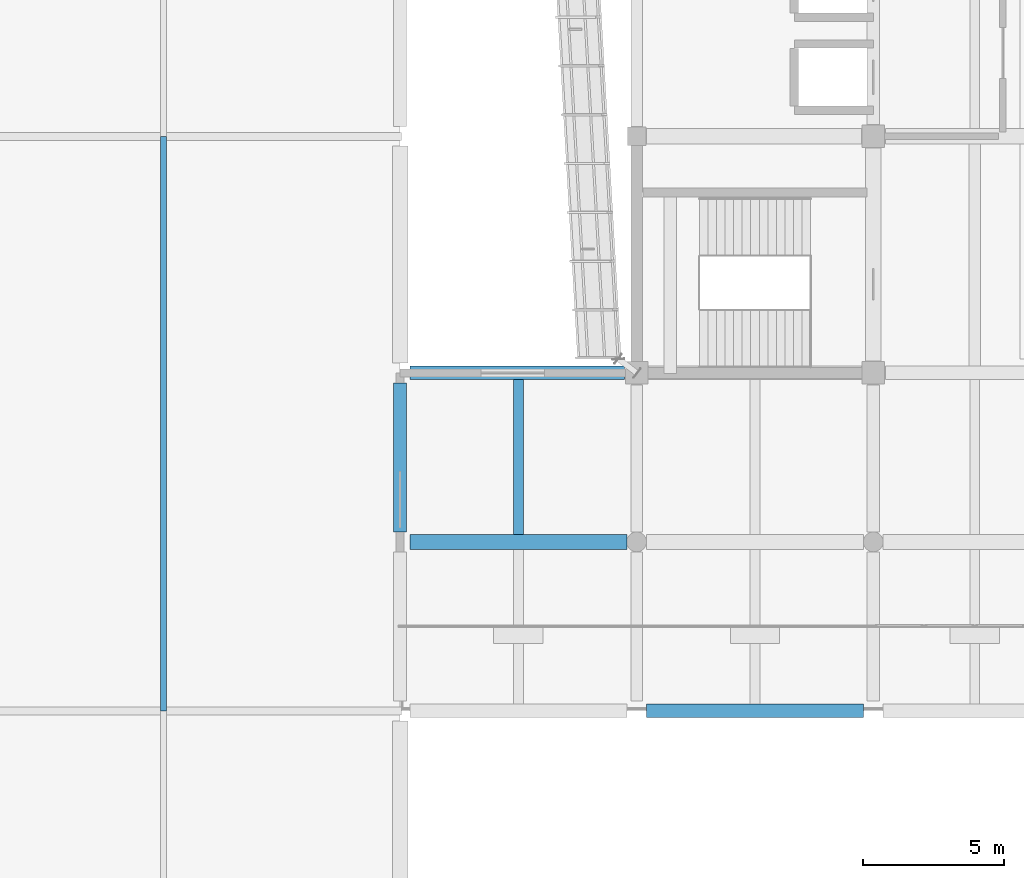
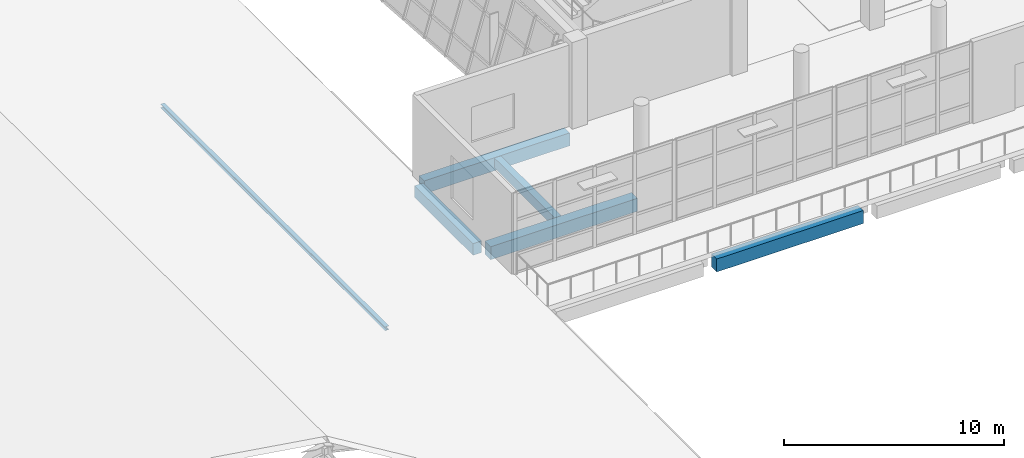
# One storey, part 5 of 79: 5 beams, 1 member.
"""IFC4 building model written with IfcOpenShell, lengths in metres."""

from ifc_helpers import new_model, si_unit, direction, frame, origin, origin_2d, place, context, subcontext, project, spatial, rectangle, i_section, extrude, material, material_profile, profile_set, type_object, element, save


model = new_model("IFC4")

# Units and contexts
model_context = context("Model", 3, precision=1e-05, world=origin(), true_north=direction((0.0, 1.0)))
body_context = subcontext(model_context, "Body", "Model", "MODEL_VIEW")
ifc_project = project(units=[si_unit("LENGTHUNIT", "METRE"), si_unit("AREAUNIT", "SQUARE_METRE"), si_unit("VOLUMEUNIT", "CUBIC_METRE"), si_unit("PLANEANGLEUNIT", "RADIAN"), si_unit("MASSUNIT", "GRAM", prefix="KILO")], contexts=[model_context])

# Site, building, storey
site_placement = place(None, origin())
site = spatial("IfcSite", under=ifc_project, at=site_placement, CompositionType="ELEMENT")
building_placement = place(site_placement, origin())
building = spatial("IfcBuilding", under=site, at=building_placement, Name="Pellamere Symphony Hall", CompositionType="ELEMENT")
storey_placement = place(building_placement, frame((0.0, 0.0, 10.199951171875)))
storey = spatial("IfcBuildingStorey", under=building, at=storey_placement, Name="L02", CompositionType="ELEMENT", Elevation=10.199951171875)

# Beams
ifc_material_1 = material(Name="Concrete 40 MPa", Category="concrete")
ifc_material_profile_1 = material_profile(ifc_material_1, rectangle(XDim=0.449951171875, YDim=0.64990234375, at=origin_2d()), Name="RC 450x650")
ifc_profile_set_1 = profile_set([ifc_material_profile_1], Name="Concrete 40 MPa")
beam_type_1 = type_object("IfcBeamType", Name="RC CB-08 450x650", PredefinedType="BEAM", material=ifc_profile_set_1)
beam_1_placement = place(storey_placement, frame((42.0, 24.35009765625, -0.60498046875), z_axis=(0.0, 1.0, 0.0), x_axis=(-1.0, 0.0, 0.0)))
element("IfcBeam", 1, at=beam_1_placement, inside=storey, type_object=beam_type_1, Name="Girder CB-08-Y1245 (L02)", PredefinedType="BEAM", context=body_context, shape_type="SweptSolid", body=[
    extrude(rectangle(XDim=0.449951171875, YDim=0.64990234375, at=origin_2d()), origin(), (0.0, 0.0, 1.0), 5.2998046875),
])
ifc_material_2 = material(Name="Concrete 35 MPa", Category="concrete")
ifc_material_profile_2 = material_profile(ifc_material_2, rectangle(XDim=0.35009765625, YDim=0.550048828125, at=origin_2d()), Name="RC 350x550")
ifc_profile_set_2 = profile_set([ifc_material_profile_2], Name="Concrete 35 MPa")
beam_type_2 = type_object("IfcBeamType", Name="RC CB-10 350x550", PredefinedType="BEAM", material=ifc_profile_set_2)
beam_2_placement = place(storey_placement, frame((46.199951171875, 24.27001953125, -0.570068359375), z_axis=(0.0, 1.0, 0.0), x_axis=(-1.0, 0.0, 0.0)))
element("IfcBeam", 2, at=beam_2_placement, inside=storey, type_object=beam_type_2, Name="Secondary Floor Beam CB-10-M0503 (L02)", PredefinedType="BEAM", context=body_context, shape_type="SweptSolid", body=[
    extrude(rectangle(XDim=0.35009765625, YDim=0.550048828125, at=origin_2d()), origin(), (0.0, 0.0, 1.0), 5.489990234375),
])
ifc_material_profile_3 = material_profile(ifc_material_1, rectangle(XDim=0.47998046875, YDim=0.719970703125, at=origin_2d()), Name="RC 480x720")
ifc_profile_set_3 = profile_set([ifc_material_profile_3], Name="Concrete 40 MPa")
beam_type_3 = type_object("IfcBeamType", Name="RC CB-14 480x720", PredefinedType="SPANDREL", material=ifc_profile_set_3)
beam_3_placement = place(storey_placement, frame((50.75, 18.0, -0.639892578125), z_axis=(1.0, 0.0, 0.0), x_axis=(0.0, 1.0, 0.0)))
element("IfcBeam", 3, at=beam_3_placement, inside=storey, type_object=beam_type_3, Name="Girder CB-14-X1041 (L02)", PredefinedType="SPANDREL", context=body_context, shape_type="SweptSolid", body=[
    extrude(rectangle(XDim=0.47998046875, YDim=0.719970703125, at=origin_2d()), origin(), (0.0, 0.0, 1.0), 7.699951171875),
])
beam_4_placement = place(storey_placement, frame((42.35009765625, 30.0, -0.639892578125), z_axis=(1.0, 0.0, 0.0), x_axis=(0.0, 1.0, 0.0)))
element("IfcBeam", 4, at=beam_4_placement, inside=storey, type_object=beam_type_3, Name="Girder CB-14-X1073 (L02)", PredefinedType="SPANDREL", context=body_context, shape_type="SweptSolid", body=[
    extrude(rectangle(XDim=0.47998046875, YDim=0.719970703125, at=origin_2d()), origin(), (0.0, 0.0, 1.0), 7.625),
])
ifc_material_profile_4 = material_profile(ifc_material_1, rectangle(XDim=0.5400390625, YDim=0.719970703125, at=origin_2d()), Name="RC 540x720")
ifc_profile_set_4 = profile_set([ifc_material_profile_4], Name="Concrete 40 MPa")
beam_type_4 = type_object("IfcBeamType", Name="RC CB-24 540x720", PredefinedType="BEAM", material=ifc_profile_set_4)
beam_5_placement = place(storey_placement, frame((42.35009765625, 24.0, -0.639892578125), z_axis=(1.0, 0.0, 0.0), x_axis=(0.0, 1.0, 0.0)))
element("IfcBeam", 5, at=beam_5_placement, inside=storey, type_object=beam_type_4, Name="Girder CB-24-X1058 (L02)", PredefinedType="BEAM", context=body_context, shape_type="SweptSolid", body=[
    extrude(rectangle(XDim=0.5400390625, YDim=0.719970703125, at=origin_2d()), origin(), (0.0, 0.0, 1.0), 7.699951171875),
])

# Member
ifc_material_3 = material(Name="Steel CSA G40.21 350W", Category="steel")
ifc_material_profile_5 = material_profile(ifc_material_3, i_section(OverallWidth=0.2041015625, OverallDepth=0.2060546875, WebThickness=0.0078125, FlangeThickness=0.0126953125, at=origin_2d()), Name="W200X52")
ifc_profile_set_5 = profile_set([ifc_material_profile_5], Name="Steel CSA G40.21 350W")
member_type = type_object("IfcMemberType", Name="Steel Member SM-15 W200X52", PredefinedType="PURLIN", material=ifc_profile_set_5)
member_placement = place(storey_placement, frame((33.60009765625, 18.0, 1.739990234375), z_axis=(0.0, 1.0, 0.0), x_axis=(-1.0, 0.0, 0.0)))
element("IfcMember", 6, at=member_placement, inside=storey, type_object=member_type, Name="Chamber Roof Steel Purlin 3.33", PredefinedType="PURLIN", context=body_context, shape_type="SweptSolid", body=[
    extrude(i_section(OverallWidth=0.2041015625, OverallDepth=0.2060546875, WebThickness=0.0078125, FlangeThickness=0.0126953125, at=origin_2d()), origin(), (0.0, 0.0, 1.0), 20.39990234375),
])

save(model, "model.ifc")
